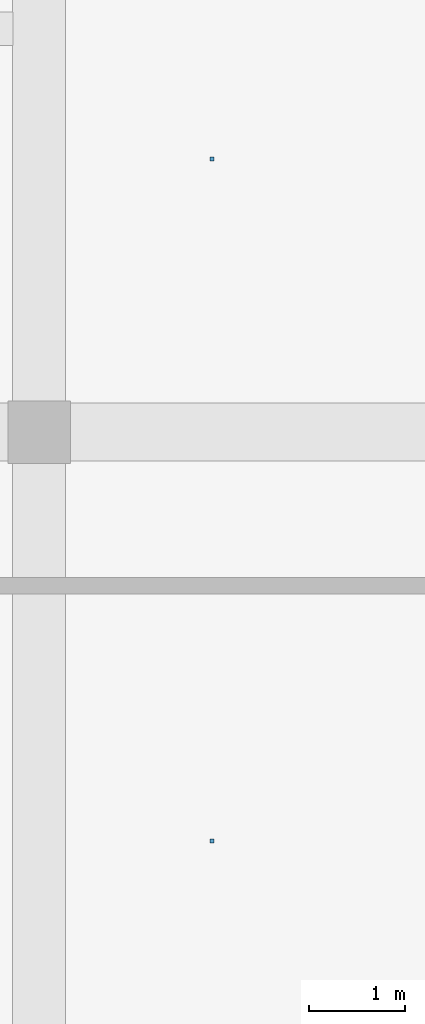
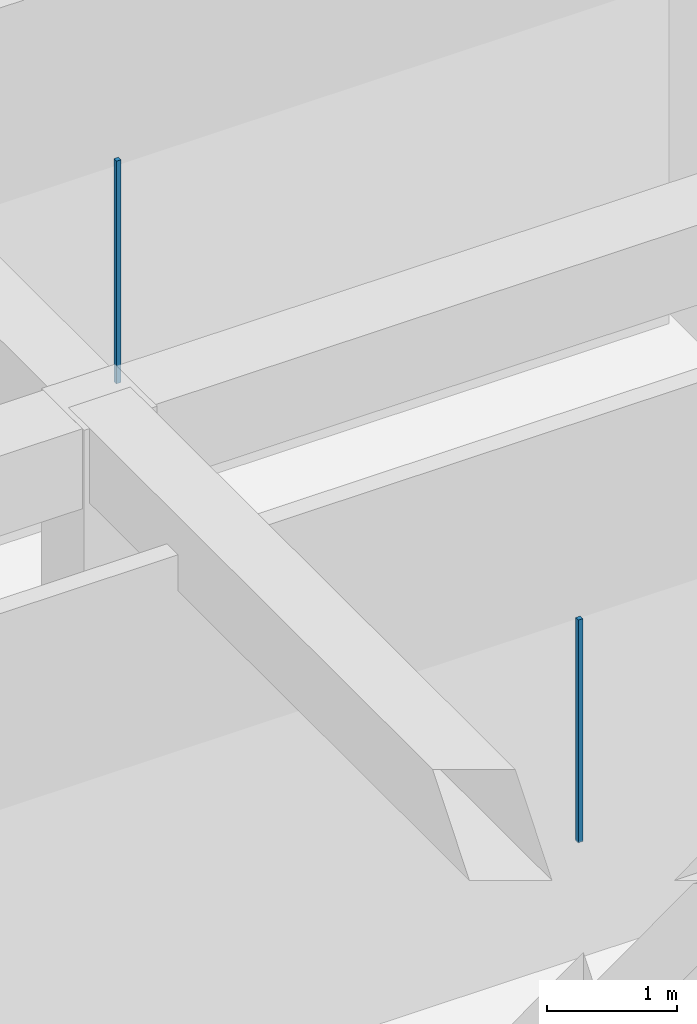
# One storey, part 123 of 167: 2 discrete accessories.
"""IFC4 building model written with IfcOpenShell, lengths in metres."""

from ifc_helpers import new_model, si_unit, direction, frame, origin, origin_2d, place, context, subcontext, project, spatial, rectangle, extrude, material, type_object, element, save


model = new_model("IFC4")

# Units and contexts
model_context = context("Model", 3, precision=1e-05, world=origin(), true_north=direction((0.0, 1.0)))
body_context = subcontext(model_context, "Body", "Model", "MODEL_VIEW")
ifc_project = project(units=[si_unit("LENGTHUNIT", "METRE"), si_unit("AREAUNIT", "SQUARE_METRE"), si_unit("VOLUMEUNIT", "CUBIC_METRE"), si_unit("PLANEANGLEUNIT", "RADIAN"), si_unit("MASSUNIT", "GRAM", prefix="KILO")], contexts=[model_context])

# Site, building, storey
site_placement = place(None, origin())
site = spatial("IfcSite", under=ifc_project, at=site_placement, CompositionType="ELEMENT")
building_placement = place(site_placement, origin())
building = spatial("IfcBuilding", under=site, at=building_placement, Name="Varncliffe General Hospital", CompositionType="ELEMENT")
storey_placement = place(building_placement, origin())
storey = spatial("IfcBuildingStorey", under=building, at=storey_placement, Name="L00", CompositionType="ELEMENT", Elevation=0.0)

# Discrete accessories
ifc_material = material(Name="Powder-coated hospital steel guardrail and handrail", Category="steel")
discrete_accessory_type = type_object("IfcDiscreteAccessoryType", Name="Suspended Ceiling Hanger Bracket CH01", PredefinedType="BRACKET", material=ifc_material)
for number, where, z_axis, x_axis, name in (
    (1, (169.800048828125, 2.9423828125, 3.18994140625), (0.0, 0.0, 1.0), (1.0, 0.0, 0.0), "L00 Suspended Ceiling Hanger 70"),
    (2, (169.800048828125, 10.04248046875, 3.18994140625), (0.0, 0.0, 1.0), (1.0, 0.0, 0.0), "L00 Suspended Ceiling Hanger 71"),
):
    element("IfcDiscreteAccessory", number, at=place(storey_placement, frame(where, z_axis=z_axis, x_axis=x_axis)), inside=storey, type_object=discrete_accessory_type, Name=name, PredefinedType="BRACKET", context=body_context, shape_type="SweptSolid", body=[
        extrude(rectangle(XDim=0.0400390625, YDim=0.0400390625, at=origin_2d()), origin(), (0.0, 0.0, 1.0), 2.090087890625),
    ])

save(model, "model.ifc")
